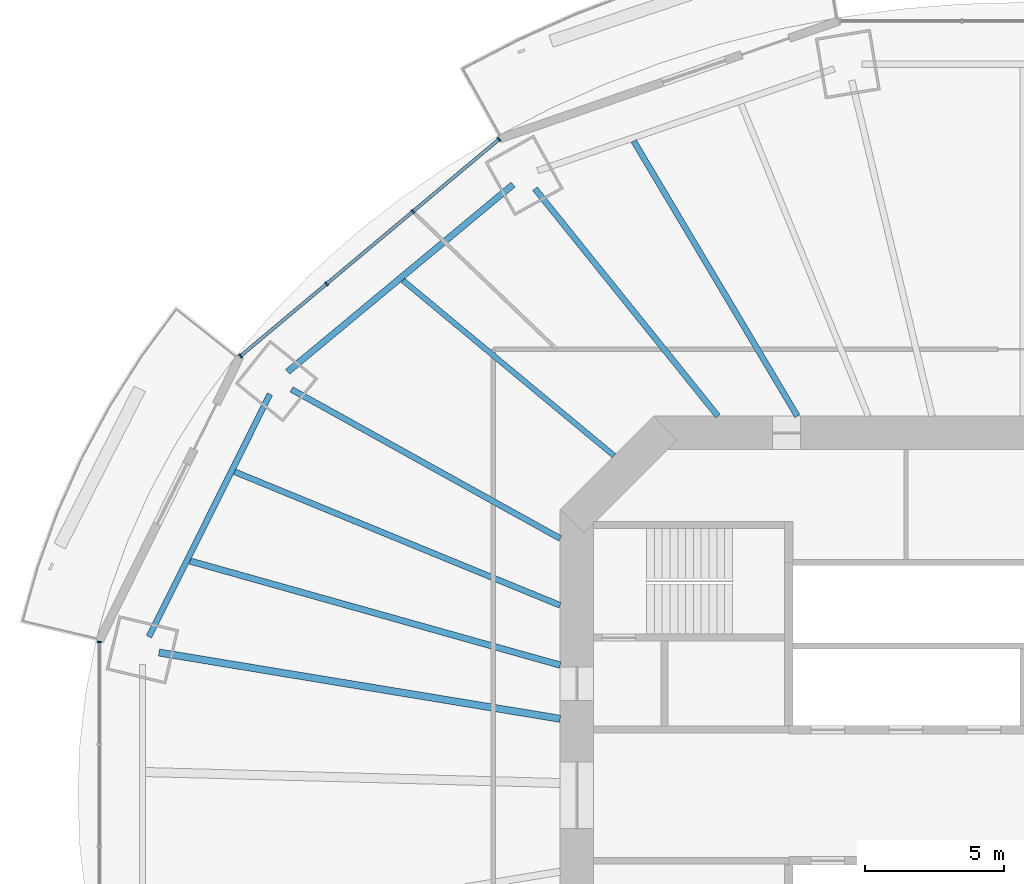
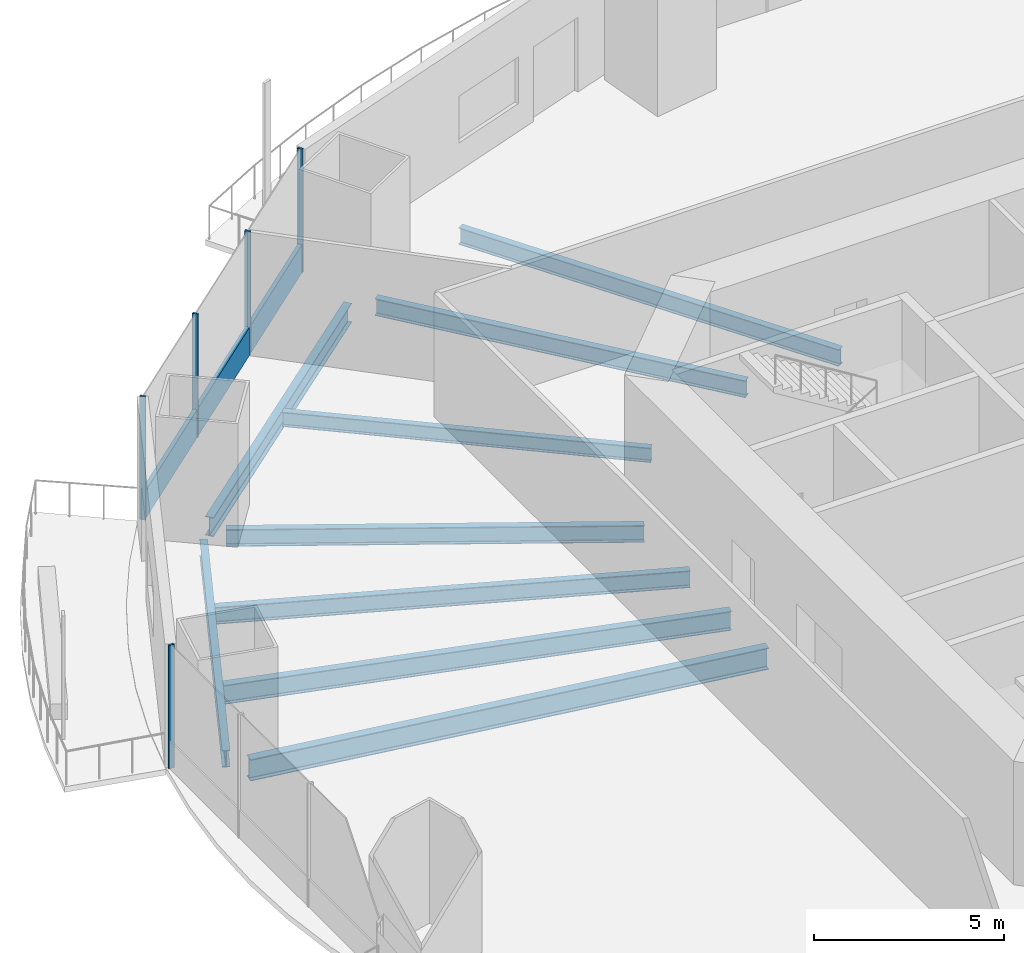
# One storey, part 6 of 21: 9 beams, 6 members, 2 elements without a shape of their own.
"""IFC4 building model written with IfcOpenShell, lengths in metres."""

from ifc_helpers import new_model, si_unit, direction, frame, origin, origin_2d, place, context, subcontext, project, spatial, rectangle, i_section, extrude, material, material_profile, profile_set, type_object, element, aggregate, save


model = new_model("IFC4")

# Units and contexts
model_context = context("Model", 3, precision=1e-05, world=origin(), true_north=direction((0.0, 1.0)))
body_context = subcontext(model_context, "Body", "Model", "MODEL_VIEW")
ifc_project = project(units=[si_unit("LENGTHUNIT", "METRE"), si_unit("AREAUNIT", "SQUARE_METRE"), si_unit("VOLUMEUNIT", "CUBIC_METRE"), si_unit("PLANEANGLEUNIT", "RADIAN"), si_unit("MASSUNIT", "GRAM", prefix="KILO")], contexts=[model_context])

# Site, building, storey
site_placement = place(None, origin())
site = spatial("IfcSite", under=ifc_project, at=site_placement, CompositionType="ELEMENT")
building_placement = place(site_placement, origin())
building = spatial("IfcBuilding", under=site, at=building_placement, Name="Marenthal Gate Tower", CompositionType="ELEMENT")
storey_placement = place(building_placement, frame((0.0, 0.0, 128.449951171875)))
storey = spatial("IfcBuildingStorey", under=building, at=storey_placement, Name="L27", CompositionType="ELEMENT", Elevation=128.449951171875)

# Curtain wall, members
ifc_material_1 = material(Name="Aluminium and glass", Category="aluminium")
curtain_wall_type = type_object("IfcCurtainWallType", Name="Curtain wall typical low", PredefinedType="NOTDEFINED", material=ifc_material_1)
curtain_wall_1_placement = place(storey_placement, origin())
curtain_wall_1 = element("IfcCurtainWall", 1, at=curtain_wall_1_placement, inside=storey, type_object=curtain_wall_type, Name="Curtain wall L27 bay 6", PredefinedType="NOTDEFINED")
ifc_material_2 = material(Name="Aluminium", Category="aluminium")
ifc_material_profile_1 = material_profile(ifc_material_2, rectangle(XDim=0.159912109375, YDim=0.06005859375, at=origin_2d()), Name="60x160 aluminium mullion")
ifc_profile_set_1 = profile_set([ifc_material_profile_1], Name="Aluminium")
member_type_1 = type_object("IfcMemberType", Name="Mullion 60x160 typical low", PredefinedType="MULLION", material=ifc_profile_set_1)
member_1_placement = place(storey_placement, frame((-18.79248046875, 23.529541015625, 0.0), z_axis=(0.0, 0.0, 1.0), x_axis=(0.642437868504, -0.766337774817, 0.0)))
member_1 = element("IfcMember", 2, at=member_1_placement, type_object=member_type_1, Name="Mullion L27 bay 6.1", PredefinedType="MULLION", context=body_context, shape_type="SweptSolid", body=[
    extrude(rectangle(XDim=0.159912109375, YDim=0.06005859375, at=origin_2d()), origin(), (0.0, 0.0, 1.0), 3.969970703125),
])
member_2_placement = place(storey_placement, frame((-21.884033203125, 20.937744140625, 0.0), z_axis=(0.0, 0.0, 1.0), x_axis=(0.642437868504, -0.766337774817, 0.0)))
member_2 = element("IfcMember", 3, at=member_2_placement, type_object=member_type_1, Name="Mullion L27 bay 6.2", PredefinedType="MULLION", context=body_context, shape_type="SweptSolid", body=[
    extrude(rectangle(XDim=0.159912109375, YDim=0.06005859375, at=origin_2d()), origin(), (0.0, 0.0, 1.0), 3.969970703125),
])
member_3_placement = place(storey_placement, frame((-24.975830078125, 18.345947265625, 0.0), z_axis=(0.0, 0.0, 1.0), x_axis=(0.642437868504, -0.766337774817, 0.0)))
member_3 = element("IfcMember", 4, at=member_3_placement, type_object=member_type_1, Name="Mullion L27 bay 6.3", PredefinedType="MULLION", context=body_context, shape_type="SweptSolid", body=[
    extrude(rectangle(XDim=0.159912109375, YDim=0.06005859375, at=origin_2d()), origin(), (0.0, 0.0, 1.0), 3.969970703125),
])
member_4_placement = place(storey_placement, frame((-28.0673828125, 15.754150390625, 0.0), z_axis=(0.0, 0.0, 1.0), x_axis=(0.642437868504, -0.766337774817, 0.0)))
member_4 = element("IfcMember", 5, at=member_4_placement, type_object=member_type_1, Name="Mullion L27 bay 6.4", PredefinedType="MULLION", context=body_context, shape_type="SweptSolid", body=[
    extrude(rectangle(XDim=0.159912109375, YDim=0.06005859375, at=origin_2d()), origin(), (0.0, 0.0, 1.0), 3.969970703125),
])

# Curtain wall, member
curtain_wall_2_placement = place(storey_placement, origin())
curtain_wall_2 = element("IfcCurtainWall", 6, at=curtain_wall_2_placement, inside=storey, type_object=curtain_wall_type, Name="Curtain wall L27 bay 8", PredefinedType="NOTDEFINED")
member_5_placement = place(storey_placement, frame((-33.134765625, 5.495361328125, 0.0), z_axis=(0.0, 0.0, 1.0), x_axis=(1.0, 0.0, 0.0)))
member_5 = element("IfcMember", 7, at=member_5_placement, type_object=member_type_1, Name="Mullion L27 bay 8.1", PredefinedType="MULLION", context=body_context, shape_type="SweptSolid", body=[
    extrude(rectangle(XDim=0.159912109375, YDim=0.06005859375, at=origin_2d()), origin(), (0.0, 0.0, 1.0), 3.969970703125),
])
aggregate(curtain_wall_2, [member_5])

# Member
ifc_material_3 = material(Name="Aluminium", Category="aluminium")
ifc_material_profile_2 = material_profile(ifc_material_3, rectangle(XDim=0.1201171875, YDim=0.89990234375, at=origin_2d()), Name="120x900 aluminium transom")
ifc_profile_set_2 = profile_set([ifc_material_profile_2], Name="Aluminium")
member_type_2 = type_object("IfcMemberType", Name="Transom 120x900 typical low", PredefinedType="USERDEFINED", material=ifc_profile_set_2)
member_6_placement = place(storey_placement, frame((-18.8154296875, 23.51025390625, 0.449951171875), z_axis=(-0.766340278264, -0.642434882233, 0.0), x_axis=(0.642434882233, -0.766340278264, 0.0)))
member_6 = element("IfcMember", 8, at=member_6_placement, type_object=member_type_2, Name="Transom L27 bay 6", ObjectType="TRANSOM", PredefinedType="USERDEFINED", context=body_context, shape_type="SweptSolid", body=[
    extrude(rectangle(XDim=0.1201171875, YDim=0.89990234375, at=origin_2d()), origin(), (0.0, 0.0, 1.0), 12.04296875),
])

aggregate(curtain_wall_1, [member_1, member_2, member_3, member_4, member_6])

# Beams
ifc_material_4 = material(Name="Steel S355", Category="steel")
ifc_material_profile_3 = material_profile(ifc_material_4, i_section(OverallWidth=0.193115234375, OverallDepth=0.467041015625, WebThickness=0.011474609375, FlangeThickness=0.01904296875, FilletRadius=0.010009765625, at=origin_2d()), Name="W460X97")
ifc_profile_set_3 = profile_set([ifc_material_profile_3], Name="Steel S355")
beam_type_1 = type_object("IfcBeamType", Name="W460X97 beam", PredefinedType="BEAM", material=ifc_profile_set_3)
beam_1_placement = place(storey_placement, frame((-22.244384765625, 18.4716796875, -0.413330078125), z_axis=(0.7693296468, -0.638852013031, 0.0), x_axis=(0.638852013031, 0.7693296468, 0.0)))
element("IfcBeam", 9, at=beam_1_placement, inside=storey, type_object=beam_type_1, Name="BM-L27-25", PredefinedType="BEAM", context=body_context, shape_type="SweptSolid", body=[
    extrude(i_section(OverallWidth=0.193115234375, OverallDepth=0.467041015625, WebThickness=0.011474609375, FlangeThickness=0.01904296875, FilletRadius=0.010009765625, at=origin_2d()), origin(), (0.0, 0.0, 1.0), 9.84765625),
])
ifc_material_5 = material(Name="Steel S355", Category="steel")
ifc_material_profile_4 = material_profile(ifc_material_5, i_section(OverallWidth=0.2099609375, OverallDepth=0.535888671875, WebThickness=0.010986328125, FlangeThickness=0.017333984375, FilletRadius=0.0126953125, at=origin_2d()), Name="W530X101")
ifc_profile_set_4 = profile_set([ifc_material_profile_4], Name="Steel S355")
beam_type_2 = type_object("IfcBeamType", Name="W530X101 beam", PredefinedType="BEAM", material=ifc_profile_set_4)
beam_2_placement = place(storey_placement, frame((-13.962158203125, 23.4658203125, -0.447998046875), z_axis=(0.51133355271, -0.859382335095, 0.0), x_axis=(0.859382335095, 0.51133355271, 0.0)))
element("IfcBeam", 10, at=beam_2_placement, inside=storey, type_object=beam_type_2, Name="BM-L27-24", PredefinedType="BEAM", context=body_context, shape_type="SweptSolid", body=[
    extrude(i_section(OverallWidth=0.2099609375, OverallDepth=0.535888671875, WebThickness=0.010986328125, FlangeThickness=0.017333984375, FilletRadius=0.0126953125, at=origin_2d()), origin(), (0.0, 0.0, 1.0), 11.47998046875),
])
ifc_material_6 = material(Name="Steel S355", Category="steel")
ifc_material_profile_5 = material_profile(ifc_material_6, i_section(OverallWidth=0.2119140625, OverallDepth=0.5439453125, WebThickness=0.01318359375, FlangeThickness=0.021240234375, FilletRadius=0.0126953125, at=origin_2d()), Name="W530X123")
ifc_profile_set_5 = profile_set([ifc_material_profile_5], Name="Steel S355")
beam_type_3 = type_object("IfcBeamType", Name="W530X123 beam", PredefinedType="BEAM", material=ifc_profile_set_5)
beam_3_placement = place(storey_placement, frame((-17.505126953125, 21.755126953125, -0.451904296875), z_axis=(0.626891327439, -0.779106708726, 0.0), x_axis=(0.779106708726, 0.626891327439, 0.0)))
element("IfcBeam", 11, at=beam_3_placement, inside=storey, type_object=beam_type_3, Name="BM-L27-06", PredefinedType="BEAM", context=body_context, shape_type="SweptSolid", body=[
    extrude(i_section(OverallWidth=0.2119140625, OverallDepth=0.5439453125, WebThickness=0.01318359375, FlangeThickness=0.021240234375, FilletRadius=0.0126953125, at=origin_2d()), origin(), (0.0, 0.0, 1.0), 10.467041015625),
])
beam_4_placement = place(storey_placement, frame((-26.23779296875, 14.55810546875, -0.451904296875), z_axis=(0.874421492378, -0.485167036872, 0.0), x_axis=(0.485167036872, 0.874421492378, 0.0)))
element("IfcBeam", 12, at=beam_4_placement, inside=storey, type_object=beam_type_3, Name="BM-L27-07", PredefinedType="BEAM", context=body_context, shape_type="SweptSolid", body=[
    extrude(i_section(OverallWidth=0.2119140625, OverallDepth=0.5439453125, WebThickness=0.01318359375, FlangeThickness=0.021240234375, FilletRadius=0.0126953125, at=origin_2d()), origin(), (0.0, 0.0, 1.0), 11.021728515625),
])
beam_5_placement = place(storey_placement, frame((-28.281005859375, 11.603515625, -0.451904296875), z_axis=(0.925153122317, -0.379594125702, 0.0), x_axis=(0.379594125702, 0.925153122317, 0.0)))
element("IfcBeam", 13, at=beam_5_placement, inside=storey, type_object=beam_type_3, Name="BM-L27-26", PredefinedType="BEAM", context=body_context, shape_type="SweptSolid", body=[
    extrude(i_section(OverallWidth=0.2119140625, OverallDepth=0.5439453125, WebThickness=0.01318359375, FlangeThickness=0.021240234375, FilletRadius=0.0126953125, at=origin_2d()), origin(), (0.0, 0.0, 1.0), 12.6259765625),
])
beam_6_placement = place(storey_placement, frame((-27.01025390625, 14.388671875, -0.451904296875), z_axis=(-0.446359643577, -0.894853657637, 0.0), x_axis=(0.894853657637, -0.446359643577, 0.0)))
element("IfcBeam", 14, at=beam_6_placement, inside=storey, type_object=beam_type_3, Name="BM-L27-47", PredefinedType="BEAM", context=body_context, shape_type="SweptSolid", body=[
    extrude(i_section(OverallWidth=0.2119140625, OverallDepth=0.5439453125, WebThickness=0.01318359375, FlangeThickness=0.021240234375, FilletRadius=0.0126953125, at=origin_2d()), origin(), (0.0, 0.0, 1.0), 9.72265625),
])
ifc_material_7 = material(Name="Steel S355", Category="steel")
ifc_material_profile_6 = material_profile(ifc_material_7, i_section(OverallWidth=0.22900390625, OverallDepth=0.612060546875, WebThickness=0.011962890625, FlangeThickness=0.01953125, FilletRadius=0.0126953125, at=origin_2d()), Name="W610X125")
ifc_profile_set_6 = profile_set([ifc_material_profile_6], Name="Steel S355")
beam_type_4 = type_object("IfcBeamType", Name="W610X125 beam", PredefinedType="BEAM", material=ifc_profile_set_6)
beam_7_placement = place(storey_placement, frame((-29.87841796875, 8.401123046875, -0.48583984375), z_axis=(0.962667661215, -0.270686117213, 0.0), x_axis=(0.270686117213, 0.962667661215, 0.0)))
element("IfcBeam", 15, at=beam_7_placement, inside=storey, type_object=beam_type_4, Name="BM-L27-27", PredefinedType="BEAM", context=body_context, shape_type="SweptSolid", body=[
    extrude(i_section(OverallWidth=0.22900390625, OverallDepth=0.612060546875, WebThickness=0.011962890625, FlangeThickness=0.01953125, FilletRadius=0.0126953125, at=origin_2d()), origin(), (0.0, 0.0, 1.0), 13.793212890625),
])
beam_8_placement = place(storey_placement, frame((-18.289794921875, 21.904541015625, -0.48583984375), z_axis=(-0.769335786628, -0.638844619148, 0.0), x_axis=(0.638844619148, -0.769335786628, 0.0)))
element("IfcBeam", 16, at=beam_8_placement, inside=storey, type_object=beam_type_4, Name="BM-L27-46", PredefinedType="BEAM", context=body_context, shape_type="SweptSolid", body=[
    extrude(i_section(OverallWidth=0.22900390625, OverallDepth=0.612060546875, WebThickness=0.011962890625, FlangeThickness=0.01953125, FilletRadius=0.0126953125, at=origin_2d()), origin(), (0.0, 0.0, 1.0), 10.510986328125),
])
ifc_material_8 = material(Name="Steel S355", Category="steel")
ifc_material_profile_7 = material_profile(ifc_material_8, i_section(OverallWidth=0.257080078125, OverallDepth=0.693115234375, WebThickness=0.014404296875, FlangeThickness=0.023681640625, FilletRadius=0.015380859375, at=origin_2d()), Name="W690X170")
ifc_profile_set_7 = profile_set([ifc_material_profile_7], Name="Steel S355")
beam_type_5 = type_object("IfcBeamType", Name="W690X170 beam", PredefinedType="BEAM", material=ifc_profile_set_7)
beam_9_placement = place(storey_placement, frame((-30.990478515625, 5.118896484375, -0.5263671875), z_axis=(0.986631300462, -0.162968331122, 0.0), x_axis=(0.162968331122, 0.986631300462, 0.0)))
element("IfcBeam", 17, at=beam_9_placement, inside=storey, type_object=beam_type_5, Name="BM-L27-08", PredefinedType="BEAM", context=body_context, shape_type="SweptSolid", body=[
    extrude(i_section(OverallWidth=0.257080078125, OverallDepth=0.693115234375, WebThickness=0.014404296875, FlangeThickness=0.023681640625, FilletRadius=0.015380859375, at=origin_2d()), origin(), (0.0, 0.0, 1.0), 14.58544921875),
])

save(model, "model.ifc")
